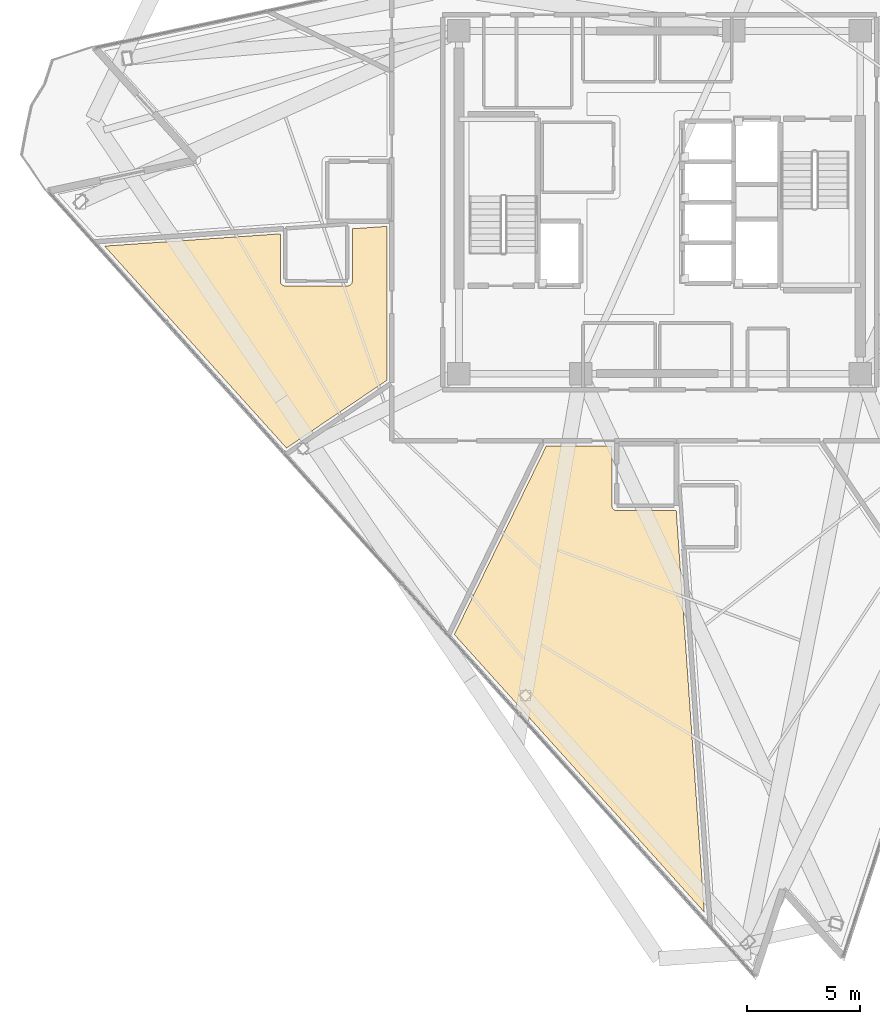
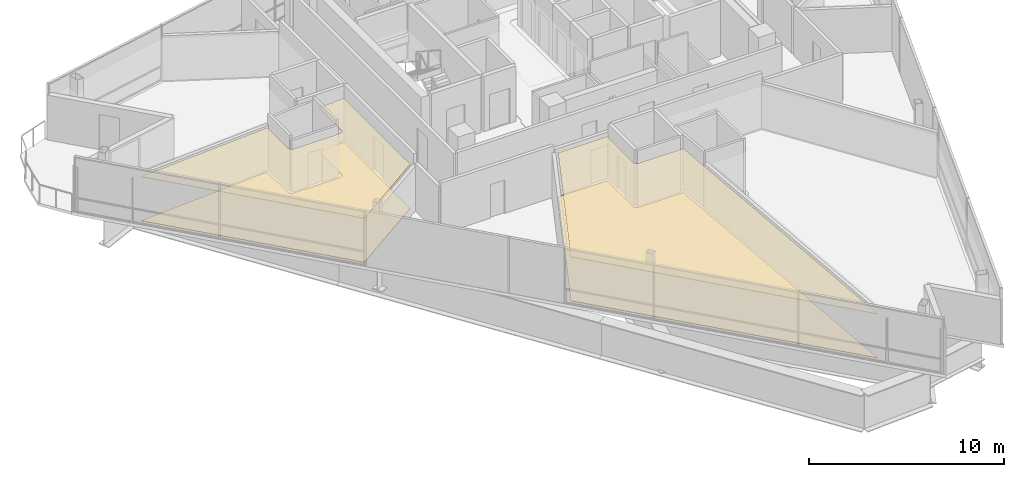
# One storey, part 14 of 18: 4 coverings.
"""IFC4 building model written with IfcOpenShell, lengths in metres."""

from ifc_helpers import new_model, si_unit, direction, frame, origin, place, context, subcontext, project, spatial, polyline, outline, extrude, material, layer, layer_set, type_object, element, save


model = new_model("IFC4")

# Units and contexts
model_context = context("Model", 3, precision=1e-05, world=origin(), true_north=direction((0.0, 1.0)))
body_context = subcontext(model_context, "Body", "Model", "MODEL_VIEW")
ifc_project = project(units=[si_unit("LENGTHUNIT", "METRE"), si_unit("AREAUNIT", "SQUARE_METRE"), si_unit("VOLUMEUNIT", "CUBIC_METRE"), si_unit("PLANEANGLEUNIT", "RADIAN"), si_unit("MASSUNIT", "GRAM", prefix="KILO")], contexts=[model_context])

# Site, building, storey
site_placement = place(None, origin())
site = spatial("IfcSite", under=ifc_project, at=site_placement, CompositionType="ELEMENT")
building_placement = place(site_placement, origin())
building = spatial("IfcBuilding", under=site, at=building_placement, Name="Tharavind Bronze Gate", CompositionType="ELEMENT")
storey_placement = place(building_placement, frame((0.0, 0.0, 279.75)))
storey = spatial("IfcBuildingStorey", under=building, at=storey_placement, Name="L72", CompositionType="ELEMENT", Elevation=279.75)

# Coverings
ifc_material_1 = material(Name="Engineered Oak & Carpet Tile", Category="wood")
ifc_layer_1 = layer(ifc_material_1, 0.02490234375)
ifc_layer_set_1 = layer_set([ifc_layer_1], Name="Engineered Oak & Carpet Tile")
covering_type_1 = type_object("IfcCoveringType", Name="ENGINEERED TIMBER FLOORING", PredefinedType="FLOORING", material=ifc_layer_set_1)
covering_1_placement = place(storey_placement, origin())
element("IfcCovering", 1, at=covering_1_placement, inside=storey, type_object=covering_type_1, Name="L72-RM-06 floor finish", PredefinedType="FLOORING", context=body_context, shape_type="SweptSolid", body=[
    extrude(outline(polyline([(-16.550537109375, -10.898193359375), (-12.10009765625, -7.896240234375), (-12.10009765625, -1.066650390625), (-13.6298828125, -1.173583984375), (-13.6298828125, -3.489013671875), (-13.631103515625, -3.5107421875), (-13.63427734375, -3.531982421875), (-13.639404296875, -3.552978515625), (-13.646728515625, -3.5732421875), (-13.656005859375, -3.5927734375), (-13.6669921875, -3.611328125), (-13.679931640625, -3.628662109375), (-13.6943359375, -3.644775390625), (-13.71044921875, -3.6591796875), (-13.727783203125, -3.672119140625), (-13.746337890625, -3.68310546875), (-13.765869140625, -3.6923828125), (-13.7861328125, -3.69970703125), (-13.80712890625, -3.704833984375), (-13.828369140625, -3.7080078125), (-13.85009765625, -3.708984375), (-16.60009765625, -3.708984375), (-16.62158203125, -3.7080078125), (-16.642822265625, -3.704833984375), (-16.663818359375, -3.69970703125), (-16.68408203125, -3.6923828125), (-16.70361328125, -3.68310546875), (-16.72216796875, -3.672119140625), (-16.739501953125, -3.6591796875), (-16.755615234375, -3.644775390625), (-16.77001953125, -3.628662109375), (-16.782958984375, -3.611328125), (-16.7939453125, -3.5927734375), (-16.80322265625, -3.5732421875), (-16.810546875, -3.552978515625), (-16.81591796875, -3.531982421875), (-16.81884765625, -3.5107421875), (-16.820068359375, -3.489013671875), (-16.820068359375, -1.396728515625), (-24.614990234375, -1.94189453125), (-16.550537109375, -10.898193359375)])), origin(), (0.0, 0.0, 1.0), 0.02490234375),
])
covering_2_placement = place(storey_placement, origin())
element("IfcCovering", 2, at=covering_2_placement, inside=storey, type_object=covering_type_1, Name="L72-RM-08 floor finish", PredefinedType="FLOORING", context=body_context, shape_type="SweptSolid", body=[
    extrude(outline(polyline([(1.980712890625, -31.479248046875), (0.7353515625, -13.669921875), (-1.90185546875, -13.669921875), (-1.92333984375, -13.6689453125), (-1.944580078125, -13.665771484375), (-1.965576171875, -13.660400390625), (-1.986083984375, -13.6533203125), (-2.005615234375, -13.64404296875), (-2.02392578125, -13.6328125), (-2.041259765625, -13.6201171875), (-2.057373046875, -13.605712890625), (-2.07177734375, -13.589599609375), (-2.084716796875, -13.572265625), (-2.095703125, -13.5537109375), (-2.10498046875, -13.5341796875), (-2.1123046875, -13.513916015625), (-2.11767578125, -13.492919921875), (-2.12060546875, -13.4716796875), (-2.121826171875, -13.449951171875), (-2.121826171875, -10.800048828125), (-5.022705078125, -10.800048828125), (-9.104248046875, -19.168212890625), (1.980712890625, -31.479248046875)])), origin(), (0.0, 0.0, 1.0), 0.02490234375),
])
ifc_material_2 = material(Name="Acoustic Gypsum Board", Category="gypsum")
ifc_layer_2 = layer(ifc_material_2, 0.030029296875)
ifc_layer_set_2 = layer_set([ifc_layer_2], Name="Acoustic Gypsum Board")
covering_type_2 = type_object("IfcCoveringType", Name="GYPSUM SUSPENDED CEILING", PredefinedType="CEILING", material=ifc_layer_set_2)
covering_3_placement = place(storey_placement, frame((0.0, 0.0, 2.75)))
element("IfcCovering", 3, at=covering_3_placement, inside=storey, type_object=covering_type_2, Name="L72-RM-06 suspended ceiling", PredefinedType="CEILING", context=body_context, shape_type="SweptSolid", body=[
    extrude(outline(polyline([(-16.550537109375, -10.898193359375), (-12.10009765625, -7.896240234375), (-12.10009765625, -1.066650390625), (-13.6298828125, -1.173583984375), (-13.6298828125, -3.489013671875), (-13.631103515625, -3.5107421875), (-13.63427734375, -3.531982421875), (-13.639404296875, -3.552978515625), (-13.646728515625, -3.5732421875), (-13.656005859375, -3.5927734375), (-13.6669921875, -3.611328125), (-13.679931640625, -3.628662109375), (-13.6943359375, -3.644775390625), (-13.71044921875, -3.6591796875), (-13.727783203125, -3.672119140625), (-13.746337890625, -3.68310546875), (-13.765869140625, -3.6923828125), (-13.7861328125, -3.69970703125), (-13.80712890625, -3.704833984375), (-13.828369140625, -3.7080078125), (-13.85009765625, -3.708984375), (-16.60009765625, -3.708984375), (-16.62158203125, -3.7080078125), (-16.642822265625, -3.704833984375), (-16.663818359375, -3.69970703125), (-16.68408203125, -3.6923828125), (-16.70361328125, -3.68310546875), (-16.72216796875, -3.672119140625), (-16.739501953125, -3.6591796875), (-16.755615234375, -3.644775390625), (-16.77001953125, -3.628662109375), (-16.782958984375, -3.611328125), (-16.7939453125, -3.5927734375), (-16.80322265625, -3.5732421875), (-16.810546875, -3.552978515625), (-16.81591796875, -3.531982421875), (-16.81884765625, -3.5107421875), (-16.820068359375, -3.489013671875), (-16.820068359375, -1.396728515625), (-24.614990234375, -1.94189453125), (-16.550537109375, -10.898193359375)])), origin(), (0.0, 0.0, 1.0), 0.034912109375),
])
covering_4_placement = place(storey_placement, frame((0.0, 0.0, 2.75)))
element("IfcCovering", 4, at=covering_4_placement, inside=storey, type_object=covering_type_2, Name="L72-RM-08 suspended ceiling", PredefinedType="CEILING", context=body_context, shape_type="SweptSolid", body=[
    extrude(outline(polyline([(1.980712890625, -31.479248046875), (0.7353515625, -13.669921875), (-1.90185546875, -13.669921875), (-1.92333984375, -13.6689453125), (-1.944580078125, -13.665771484375), (-1.965576171875, -13.660400390625), (-1.986083984375, -13.6533203125), (-2.005615234375, -13.64404296875), (-2.02392578125, -13.6328125), (-2.041259765625, -13.6201171875), (-2.057373046875, -13.605712890625), (-2.07177734375, -13.589599609375), (-2.084716796875, -13.572265625), (-2.095703125, -13.5537109375), (-2.10498046875, -13.5341796875), (-2.1123046875, -13.513916015625), (-2.11767578125, -13.492919921875), (-2.12060546875, -13.4716796875), (-2.121826171875, -13.449951171875), (-2.121826171875, -10.800048828125), (-5.022705078125, -10.800048828125), (-9.104248046875, -19.168212890625), (1.980712890625, -31.479248046875)])), origin(), (0.0, 0.0, 1.0), 0.034912109375),
])

save(model, "model.ifc")
